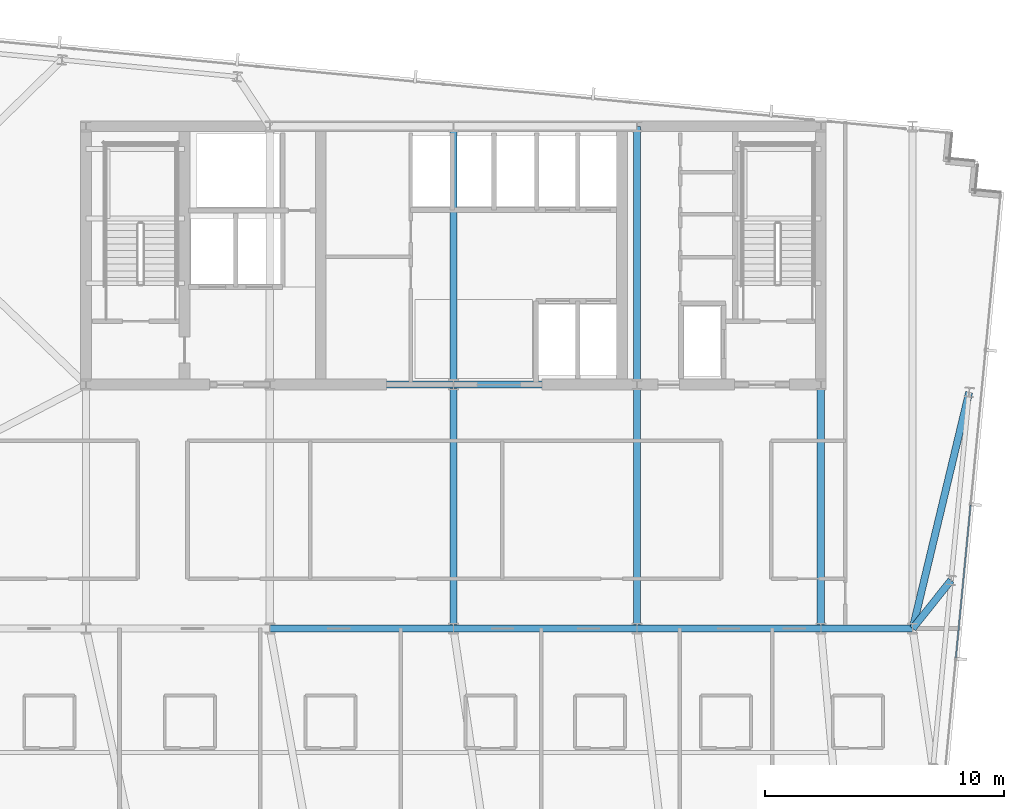
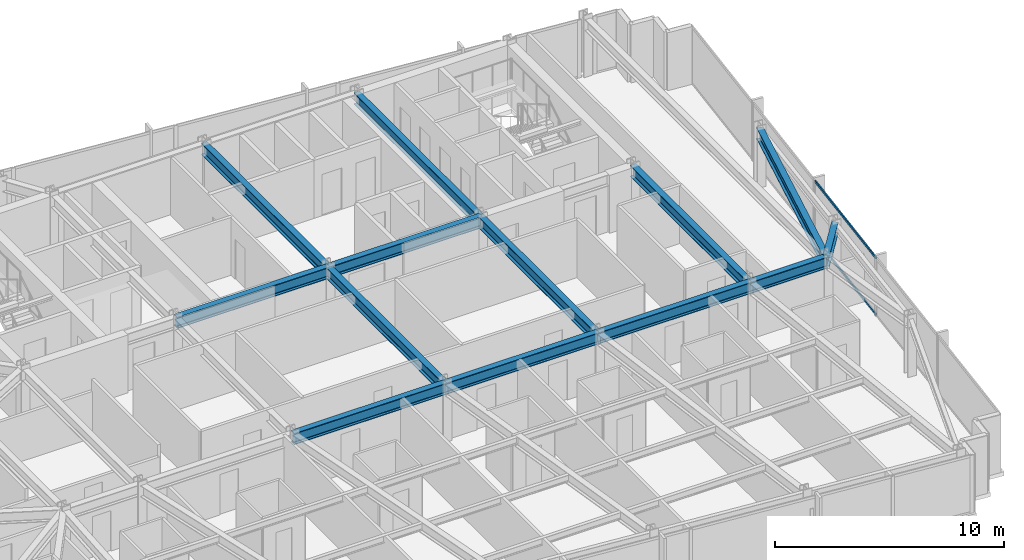
# One storey, part 17 of 38: 13 beams, 2 members, 1 element without a shape of its own.
"""IFC4 building model written with IfcOpenShell, lengths in metres."""

from ifc_helpers import new_model, si_unit, direction, frame, origin, origin_2d, place, context, subcontext, project, spatial, hollow_rectangle, i_section, extrude, material, material_profile, profile_set, type_object, element, aggregate, save


model = new_model("IFC4")

# Units and contexts
model_context = context("Model", 3, precision=1e-05, world=origin(), true_north=direction((0.0, 1.0)))
body_context = subcontext(model_context, "Body", "Model", "MODEL_VIEW")
ifc_project = project(units=[si_unit("LENGTHUNIT", "METRE"), si_unit("AREAUNIT", "SQUARE_METRE"), si_unit("VOLUMEUNIT", "CUBIC_METRE"), si_unit("PLANEANGLEUNIT", "RADIAN"), si_unit("MASSUNIT", "GRAM", prefix="KILO")], contexts=[model_context])

# Site, building, storey
site_placement = place(None, origin())
site = spatial("IfcSite", under=ifc_project, at=site_placement, CompositionType="ELEMENT")
building_placement = place(site_placement, origin())
building = spatial("IfcBuilding", under=site, at=building_placement, Name="Yelkora Congress Tower", CompositionType="ELEMENT")
storey_placement = place(building_placement, frame((0.0, 0.0, 155.60009765625)))
storey = spatial("IfcBuildingStorey", under=building, at=storey_placement, Name="L42", CompositionType="ELEMENT", Elevation=155.60009765625)

# Beams
ifc_material_1 = material(Name="Steel S355J2", Category="steel")
ifc_material_profile_1 = material_profile(ifc_material_1, i_section(OverallWidth=0.300048828125, OverallDepth=0.60009765625, WebThickness=0.015380859375, FlangeThickness=0.030029296875, FilletRadius=0.027099609375, at=origin_2d()), Name="HEB 600")
ifc_profile_set_1 = profile_set([ifc_material_profile_1], Name="Steel S355J2")
beam_type = type_object("IfcBeamType", Name="BM-GIRD-HEB600", PredefinedType="BEAM", material=ifc_profile_set_1)
beam_1_placement = place(storey_placement, frame((30.719970703125, 25.199951171875, 2.77978515625), z_axis=(1.0, 0.0, 0.0), x_axis=(0.0, 1.0, 0.0)))
element("IfcBeam", 1, at=beam_1_placement, inside=storey, type_object=beam_type, Name="L42 Spine Grid D Girder 3", PredefinedType="BEAM", context=body_context, shape_type="SweptSolid", body=[
    extrude(i_section(OverallWidth=0.300048828125, OverallDepth=0.60009765625, WebThickness=0.015380859375, FlangeThickness=0.030029296875, FilletRadius=0.027099609375, at=origin_2d()), origin(), (0.0, 0.0, 1.0), 7.679931640625),
])
beam_2_placement = place(storey_placement, frame((38.39990234375, 25.199951171875, 2.77978515625), z_axis=(1.0, 0.0, 0.0), x_axis=(0.0, 1.0, 0.0)))
element("IfcBeam", 2, at=beam_2_placement, inside=storey, type_object=beam_type, Name="L42 Spine Grid D Girder 4", PredefinedType="BEAM", context=body_context, shape_type="SweptSolid", body=[
    extrude(i_section(OverallWidth=0.300048828125, OverallDepth=0.60009765625, WebThickness=0.015380859375, FlangeThickness=0.030029296875, FilletRadius=0.027099609375, at=origin_2d()), origin(), (0.0, 0.0, 1.0), 7.68017578125),
])
beam_3_placement = place(storey_placement, frame((46.080078125, 25.199951171875, 2.77978515625), z_axis=(1.0, 0.0, 0.0), x_axis=(0.0, 1.0, 0.0)))
element("IfcBeam", 3, at=beam_3_placement, inside=storey, type_object=beam_type, Name="L42 Spine Grid D Girder 5", PredefinedType="BEAM", context=body_context, shape_type="SweptSolid", body=[
    extrude(i_section(OverallWidth=0.300048828125, OverallDepth=0.60009765625, WebThickness=0.015380859375, FlangeThickness=0.030029296875, FilletRadius=0.027099609375, at=origin_2d()), origin(), (0.0, 0.0, 1.0), 7.679931640625),
])
beam_4_placement = place(storey_placement, frame((53.760009765625, 25.199951171875, 2.77978515625), z_axis=(1.0, 0.0, 0.0), x_axis=(0.0, 1.0, 0.0)))
element("IfcBeam", 4, at=beam_4_placement, inside=storey, type_object=beam_type, Name="L42 Spine Grid D Girder 6", PredefinedType="BEAM", context=body_context, shape_type="SweptSolid", body=[
    extrude(i_section(OverallWidth=0.300048828125, OverallDepth=0.60009765625, WebThickness=0.015380859375, FlangeThickness=0.030029296875, FilletRadius=0.027099609375, at=origin_2d()), origin(), (0.0, 0.0, 1.0), 3.840087890625),
])
beam_5_placement = place(storey_placement, frame((30.719970703125, 35.39990234375, 2.77978515625), z_axis=(1.0, 0.0, 0.0), x_axis=(0.0, 1.0, 0.0)))
element("IfcBeam", 5, at=beam_5_placement, inside=storey, type_object=beam_type, Name="L42 Core South Girder 2", PredefinedType="BEAM", context=body_context, shape_type="SweptSolid", body=[
    extrude(i_section(OverallWidth=0.300048828125, OverallDepth=0.60009765625, WebThickness=0.015380859375, FlangeThickness=0.030029296875, FilletRadius=0.027099609375, at=origin_2d()), origin(), (0.0, 0.0, 1.0), 7.679931640625),
])
beam_6_placement = place(storey_placement, frame((38.39990234375, 35.39990234375, 2.77978515625), z_axis=(1.0, 0.0, 0.0), x_axis=(0.0, 1.0, 0.0)))
element("IfcBeam", 6, at=beam_6_placement, inside=storey, type_object=beam_type, Name="L42 Core South Girder 3", PredefinedType="BEAM", context=body_context, shape_type="SweptSolid", body=[
    extrude(i_section(OverallWidth=0.300048828125, OverallDepth=0.60009765625, WebThickness=0.015380859375, FlangeThickness=0.030029296875, FilletRadius=0.027099609375, at=origin_2d()), origin(), (0.0, 0.0, 1.0), 7.68017578125),
])
beam_7_placement = place(storey_placement, frame((38.39990234375, 25.199951171875, 2.77978515625), z_axis=(0.0, 1.0, 0.0), x_axis=(-1.0, 0.0, 0.0)))
element("IfcBeam", 7, at=beam_7_placement, inside=storey, type_object=beam_type, Name="L42 Core Tie Girder MC-D3", PredefinedType="BEAM", context=body_context, shape_type="SweptSolid", body=[
    extrude(i_section(OverallWidth=0.300048828125, OverallDepth=0.60009765625, WebThickness=0.015380859375, FlangeThickness=0.030029296875, FilletRadius=0.027099609375, at=origin_2d()), origin(), (0.0, 0.0, 1.0), 10.199951171875),
])
beam_8_placement = place(storey_placement, frame((38.39990234375, 35.39990234375, 2.77978515625), z_axis=(0.0, 1.0, 0.0), x_axis=(-1.0, 0.0, 0.0)))
element("IfcBeam", 8, at=beam_8_placement, inside=storey, type_object=beam_type, Name="L42 Core Tie Girder MC-S3", PredefinedType="BEAM", context=body_context, shape_type="SweptSolid", body=[
    extrude(i_section(OverallWidth=0.300048828125, OverallDepth=0.60009765625, WebThickness=0.015380859375, FlangeThickness=0.030029296875, FilletRadius=0.027099609375, at=origin_2d()), origin(), (0.0, 0.0, 1.0), 10.800048828125),
])
beam_9_placement = place(storey_placement, frame((46.080078125, 25.199951171875, 2.77978515625), z_axis=(0.0, 1.0, 0.0), x_axis=(-1.0, 0.0, 0.0)))
element("IfcBeam", 9, at=beam_9_placement, inside=storey, type_object=beam_type, Name="L42 Core Tie Girder MC-D4", PredefinedType="BEAM", context=body_context, shape_type="SweptSolid", body=[
    extrude(i_section(OverallWidth=0.300048828125, OverallDepth=0.60009765625, WebThickness=0.015380859375, FlangeThickness=0.030029296875, FilletRadius=0.027099609375, at=origin_2d()), origin(), (0.0, 0.0, 1.0), 10.199951171875),
])
beam_10_placement = place(storey_placement, frame((46.080078125, 35.39990234375, 2.77978515625), z_axis=(0.0, 1.0, 0.0), x_axis=(-1.0, 0.0, 0.0)))
element("IfcBeam", 10, at=beam_10_placement, inside=storey, type_object=beam_type, Name="L42 Core Tie Girder MC-S4", PredefinedType="BEAM", context=body_context, shape_type="SweptSolid", body=[
    extrude(i_section(OverallWidth=0.300048828125, OverallDepth=0.60009765625, WebThickness=0.015380859375, FlangeThickness=0.030029296875, FilletRadius=0.027099609375, at=origin_2d()), origin(), (0.0, 0.0, 1.0), 10.800048828125),
])
beam_11_placement = place(storey_placement, frame((53.760009765625, 25.199951171875, 2.77978515625), z_axis=(0.0, 1.0, 0.0), x_axis=(-1.0, 0.0, 0.0)))
element("IfcBeam", 11, at=beam_11_placement, inside=storey, type_object=beam_type, Name="L42 Core Tie Girder MC-D5", PredefinedType="BEAM", context=body_context, shape_type="SweptSolid", body=[
    extrude(i_section(OverallWidth=0.300048828125, OverallDepth=0.60009765625, WebThickness=0.015380859375, FlangeThickness=0.030029296875, FilletRadius=0.027099609375, at=origin_2d()), origin(), (0.0, 0.0, 1.0), 10.199951171875),
])
beam_12_placement = place(storey_placement, frame((59.206298828125, 27.217529296875, 2.77978515625), z_axis=(-0.622834511353, -0.782353610248, 0.0), x_axis=(0.782353610248, -0.622834511353, 0.0)))
element("IfcBeam", 12, at=beam_12_placement, inside=storey, type_object=beam_type, Name="L42 Primary Frame Girder E02", PredefinedType="BEAM", context=body_context, shape_type="SweptSolid", body=[
    extrude(i_section(OverallWidth=0.300048828125, OverallDepth=0.60009765625, WebThickness=0.015380859375, FlangeThickness=0.030029296875, FilletRadius=0.027099609375, at=origin_2d()), origin(), (0.0, 0.0, 1.0), 2.578857421875),
])
beam_13_placement = place(storey_placement, frame((59.96337890625, 35.0810546875, 2.77978515625), z_axis=(-0.23261126158, -0.972569792347, 0.0), x_axis=(0.972569792347, -0.23261126158, 0.0)))
element("IfcBeam", 13, at=beam_13_placement, inside=storey, type_object=beam_type, Name="L42 Primary Frame Girder E03", PredefinedType="BEAM", context=body_context, shape_type="SweptSolid", body=[
    extrude(i_section(OverallWidth=0.300048828125, OverallDepth=0.60009765625, WebThickness=0.015380859375, FlangeThickness=0.030029296875, FilletRadius=0.027099609375, at=origin_2d()), origin(), (0.0, 0.0, 1.0), 10.15966796875),
])

# Curtain wall, members
ifc_material_2 = material(Name="Anodised aluminium and insulated glass", Category="aluminium")
curtain_wall_type = type_object("IfcCurtainWallType", Name="CW-SYS-B3", PredefinedType="NOTDEFINED", material=ifc_material_2)
curtain_wall_placement = place(storey_placement, origin())
curtain_wall = element("IfcCurtainWall", 14, at=curtain_wall_placement, inside=storey, type_object=curtain_wall_type, Name="L42 Unitised Curtain Wall 15", PredefinedType="NOTDEFINED")
ifc_material_3 = material(Name="Anodised aluminium 6063-T6", Category="aluminium")
ifc_material_profile_2 = material_profile(ifc_material_3, hollow_rectangle(XDim=0.06005859375, YDim=0.1298828125, WallThickness=0.00390625, at=origin_2d()), Name="ALU 60x130x4")
ifc_profile_set_2 = profile_set([ifc_material_profile_2], Name="Anodised aluminium 6063-T6")
member_type = type_object("IfcMemberType", Name="MEM-TR-B3", PredefinedType="USERDEFINED", material=ifc_profile_set_2)
member_1_placement = place(storey_placement, frame((60.021484375, 30.36083984375, 0.02978515625), z_axis=(-0.095843682057, -0.995396397728, 0.0), x_axis=(0.995396397728, -0.095843682057, 0.0)))
member_1 = element("IfcMember", 15, at=member_1_placement, type_object=member_type, Name="CW-B3 transom 3.1", ObjectType="TRANSOM", PredefinedType="USERDEFINED", context=body_context, shape_type="SweptSolid", body=[
    extrude(hollow_rectangle(XDim=0.06005859375, YDim=0.1298828125, WallThickness=0.00390625, at=origin_2d()), origin(), (0.0, 0.0, 1.0), 6.4140625),
])
member_2_placement = place(storey_placement, frame((60.021484375, 30.36083984375, 3.0498046875), z_axis=(-0.095843682057, -0.995396397728, 0.0), x_axis=(0.995396397728, -0.095843682057, 0.0)))
member_2 = element("IfcMember", 16, at=member_2_placement, type_object=member_type, Name="CW-B3 transom 3.2", ObjectType="TRANSOM", PredefinedType="USERDEFINED", context=body_context, shape_type="SweptSolid", body=[
    extrude(hollow_rectangle(XDim=0.06005859375, YDim=0.1298828125, WallThickness=0.00390625, at=origin_2d()), origin(), (0.0, 0.0, 1.0), 6.4140625),
])
aggregate(curtain_wall, [member_1, member_2])

save(model, "model.ifc")
